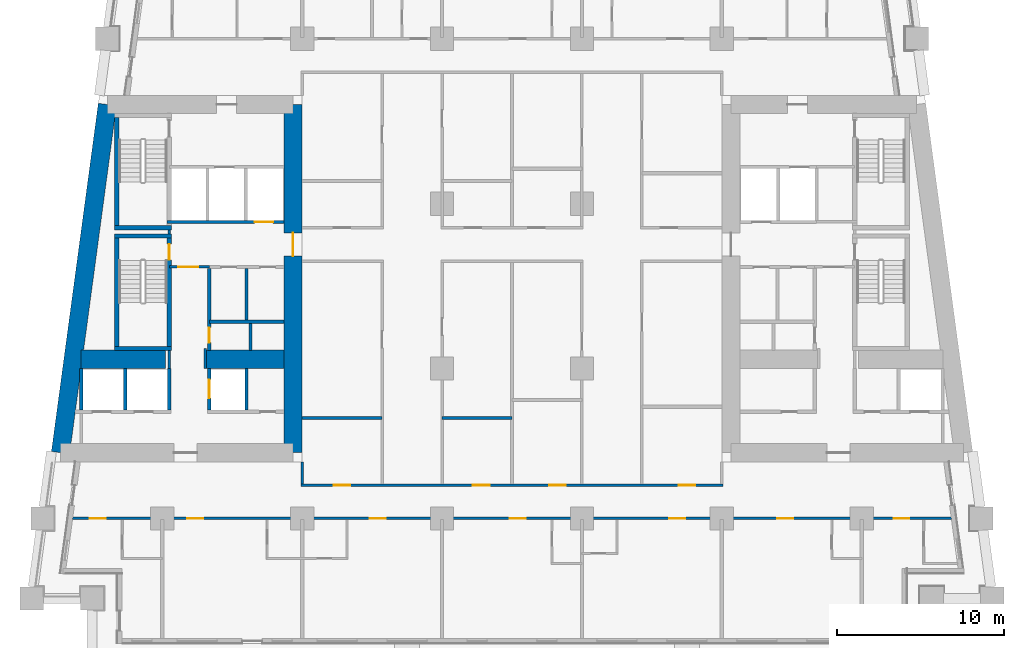
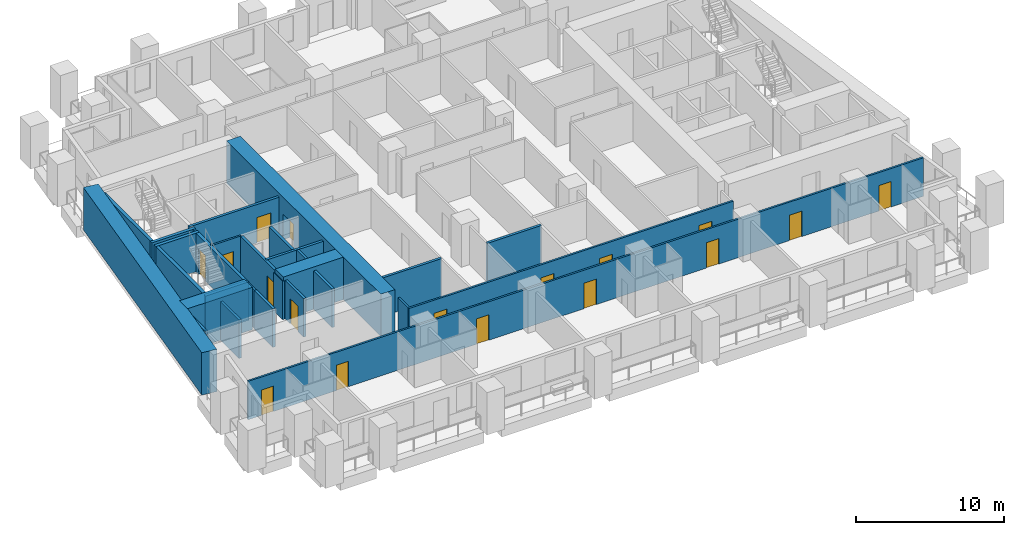
# One storey, part 3 of 13: 29 walls, 17 doors, 17 openings.
"""IFC4 building model written with IfcOpenShell, lengths in metres."""

from ifc_helpers import new_model, si_unit, direction, frame, frame_2d, origin, place, context, subcontext, project, spatial, rectangle, extrude, material, layer, layer_set, type_object, element, fill, save


model = new_model("IFC4")

# Units and contexts
model_context = context("Model", 3, precision=1e-05, world=origin(), true_north=direction((0.0, 1.0)))
body_context = subcontext(model_context, "Body", "Model", "MODEL_VIEW")
ifc_project = project(units=[si_unit("LENGTHUNIT", "METRE"), si_unit("AREAUNIT", "SQUARE_METRE"), si_unit("VOLUMEUNIT", "CUBIC_METRE"), si_unit("PLANEANGLEUNIT", "RADIAN"), si_unit("MASSUNIT", "GRAM", prefix="KILO")], contexts=[model_context])

# Site, building, storey
site_placement = place(None, origin())
site = spatial("IfcSite", under=ifc_project, at=site_placement, CompositionType="ELEMENT")
building_placement = place(site_placement, origin())
building = spatial("IfcBuilding", under=site, at=building_placement, Name="Candeia Pilgrim Tower and Theatre", CompositionType="ELEMENT")
storey_placement = place(building_placement, frame((0.0, 0.0, 56.5)))
storey = spatial("IfcBuildingStorey", under=building, at=storey_placement, Name="L11", CompositionType="ELEMENT", Elevation=56.5)

# Wall, opening, door
ifc_material_1 = material(Name="Concrete C80/95", Category="concrete")
ifc_layer_1 = layer(ifc_material_1, 1.10009765625)
ifc_layer_set_1 = layer_set([ifc_layer_1], Name="Core wall 1100 C80/95")
wall_type_1 = type_object("IfcWallType", Name="Core wall 1100 C80/95", PredefinedType="SHEAR", material=ifc_layer_set_1)
wall_1_placement = place(storey_placement, frame((100.25, 131.85009765625, 0.0), z_axis=(0.0, 0.0, 1.0), x_axis=(0.0, -1.0, 0.0)))
wall_1 = element("IfcWall", 1, at=wall_1_placement, inside=storey, type_object=wall_type_1, Name="Core wall W2", PredefinedType="SHEAR", context=body_context, shape_type="SweptSolid", body=[
    extrude(rectangle(XDim=20.900146484375, YDim=1.10009765625, at=frame_2d((10.4501953125, 0.0))), origin(), (0.0, 0.0, 1.0), 3.5),
])
opening_1_placement = place(wall_1_placement, frame((7.699951171875, 0.0, 0.0)))
opening_1 = element("IfcOpeningElement", 2, at=opening_1_placement, cuts=wall_1, Name="Opening L11-D061", PredefinedType="OPENING", context=body_context, shape_type="SweptSolid", body=[
    extrude(rectangle(XDim=1.39990234375, YDim=2.10009765625, at=frame_2d((0.699951171875, 1.050048828125))), frame((0.0, 0.56005859375, 0.0), z_axis=(0.0, -1.0, 0.0), x_axis=(1.0, 0.0, 0.0)), (0.0, 0.0, 1.0), 1.1201171875),
])
ifc_material_2 = material(Name="Steel fire door set", Category="steel")
door_type_1 = type_object("IfcDoorType", Name="D-1400-FD60", OperationType="NOTDEFINED", PredefinedType="DOOR", material=ifc_material_2)
door_1_placement = place(opening_1_placement, origin())
door_1 = element("IfcDoor", 3, at=door_1_placement, inside=storey, type_object=door_type_1, Name="Door L11-D061", OperationType="SINGLE_SWING_RIGHT", OverallHeight=2.10009765625, OverallWidth=1.39990234375, PredefinedType="DOOR", context=body_context, shape_type="SweptSolid", body=[
    extrude(rectangle(XDim=1.39990234375, YDim=2.10009765625, at=frame_2d((0.699951171875, 1.050048828125))), frame((0.0, 0.02490234375, 0.0), z_axis=(0.0, -1.0, 0.0), x_axis=(1.0, 0.0, 0.0)), (0.0, 0.0, 1.0), 0.050048828125),
])
fill(opening_1, door_1)

# Walls
wall_2_placement = place(storey_placement, frame((86.29833984375, 110.949951171875, 0.0), z_axis=(0.0, 0.0, 1.0), x_axis=(0.133400422634, 0.99106222168, 0.0)))
element("IfcWall", 4, at=wall_2_placement, inside=storey, type_object=wall_type_1, Name="Core wall W4", PredefinedType="SHEAR", context=body_context, shape_type="SweptSolid", body=[
    extrude(rectangle(XDim=21.088623046875, YDim=1.10009765625, at=frame_2d((10.54443359375, 0.0))), origin(), (0.0, 0.0, 1.0), 3.5),
])
wall_3_placement = place(storey_placement, frame((87.523193359375, 116.550048828125, 0.0), z_axis=(0.0, 0.0, 1.0), x_axis=(1.0, 0.0, 0.0)))
element("IfcWall", 5, at=wall_3_placement, inside=storey, type_object=wall_type_1, Name="Core wall W5", PredefinedType="SHEAR", context=body_context, shape_type="SweptSolid", body=[
    extrude(rectangle(XDim=5.076904296875, YDim=1.10009765625, at=frame_2d((2.53857421875, 0.0))), origin(), (0.0, 0.0, 1.0), 3.5),
])
wall_4_placement = place(storey_placement, frame((95.0, 116.550048828125, 0.0), z_axis=(0.0, 0.0, 1.0), x_axis=(1.0, 0.0, 0.0)))
element("IfcWall", 6, at=wall_4_placement, inside=storey, type_object=wall_type_1, Name="Core wall W6", PredefinedType="SHEAR", context=body_context, shape_type="SweptSolid", body=[
    extrude(rectangle(XDim=4.699951171875, YDim=1.10009765625, at=frame_2d((2.35009765625, 0.0))), origin(), (0.0, 0.0, 1.0), 3.5),
])

# Wall, opening, door
ifc_material_3 = material(Name="Gypsum board partition on steel studs", Category="steel")
ifc_layer_2 = layer(ifc_material_3, 0.14990234375)
ifc_layer_set_2 = layer_set([ifc_layer_2], Name="PW-150 lobby wall")
wall_type_2 = type_object("IfcWallType", Name="PW-150 lobby wall", PredefinedType="PARTITIONING", material=ifc_layer_set_2)
wall_5_placement = place(storey_placement, frame((92.826904296875, 122.10009765625, 0.0), z_axis=(0.0, 0.0, 1.0), x_axis=(1.0, 0.0, 0.0)))
wall_5 = element("IfcWall", 7, at=wall_5_placement, inside=storey, type_object=wall_type_2, Name="Lobby wall L11-023", PredefinedType="PARTITIONING", context=body_context, shape_type="SweptSolid", body=[
    extrude(rectangle(XDim=2.400146484375, YDim=0.14990234375, at=frame_2d((1.2001953125, 0.0))), origin(), (0.0, 0.0, 1.0), 3.179931640625),
])
opening_2_placement = place(wall_5_placement, frame((0.550048828125, 0.0, 0.0)))
opening_2 = element("IfcOpeningElement", 8, at=opening_2_placement, cuts=wall_5, Name="Opening L11-D001", PredefinedType="OPENING", context=body_context, shape_type="SweptSolid", body=[
    extrude(rectangle(XDim=1.199951171875, YDim=2.10009765625, at=frame_2d((0.60009765625, 1.050048828125))), frame((0.0, 0.0849609375, 0.0), z_axis=(0.0, -1.0, 0.0), x_axis=(1.0, 0.0, 0.0)), (0.0, 0.0, 1.0), 0.169921875),
])
door_type_2 = type_object("IfcDoorType", Name="D-1200-FD60", OperationType="NOTDEFINED", PredefinedType="DOOR", material=ifc_material_2)
door_2_placement = place(opening_2_placement, origin())
door_2 = element("IfcDoor", 9, at=door_2_placement, inside=storey, type_object=door_type_2, Name="Door L11-D001", OperationType="SINGLE_SWING_RIGHT", OverallHeight=2.10009765625, OverallWidth=1.199951171875, PredefinedType="DOOR", context=body_context, shape_type="SweptSolid", body=[
    extrude(rectangle(XDim=1.199951171875, YDim=2.10009765625, at=frame_2d((0.60009765625, 1.050048828125))), frame((0.0, 0.02490234375, 0.0), z_axis=(0.0, -1.0, 0.0), x_axis=(1.0, 0.0, 0.0)), (0.0, 0.0, 1.0), 0.050048828125),
])
fill(opening_2, door_2)

# Walls
wall_6_placement = place(storey_placement, frame((92.826904296875, 116.0, 0.0), z_axis=(0.0, 0.0, 1.0), x_axis=(0.0, 1.0, 0.0)))
element("IfcWall", 10, at=wall_6_placement, inside=storey, type_object=wall_type_2, Name="Lobby wall L11-062", PredefinedType="PARTITIONING", context=body_context, shape_type="SweptSolid", body=[
    extrude(rectangle(XDim=1.070068359375, YDim=0.14990234375, at=frame_2d((0.53515625, 0.0))), origin(), (0.0, 0.0, 1.0), 3.179931640625),
])
wall_7_placement = place(storey_placement, frame((92.826904296875, 124.074951171875, 0.0), z_axis=(0.0, 0.0, 1.0), x_axis=(0.0, 1.0, 0.0)))
element("IfcWall", 11, at=wall_7_placement, inside=storey, type_object=wall_type_2, Name="Lobby wall L11-063", PredefinedType="PARTITIONING", context=body_context, shape_type="SweptSolid", body=[
    extrude(rectangle(XDim=0.25, YDim=0.14990234375, at=frame_2d((0.125, 0.0))), origin(), (0.0, 0.0, 1.0), 3.179931640625),
])
wall_8_placement = place(storey_placement, frame((95.0, 116.0, 0.0), z_axis=(0.0, 0.0, 1.0), x_axis=(0.0, 1.0, 0.0)))
element("IfcWall", 12, at=wall_8_placement, inside=storey, type_object=wall_type_2, Name="Lobby wall L11-067", PredefinedType="PARTITIONING", context=body_context, shape_type="SweptSolid", body=[
    extrude(rectangle(XDim=1.199951171875, YDim=0.14990234375, at=frame_2d((0.60009765625, 0.0))), origin(), (0.0, 0.0, 1.0), 3.179931640625),
])

# Wall, openings, doors
ifc_layer_3 = layer(ifc_material_3, 0.14990234375)
ifc_layer_set_3 = layer_set([ifc_layer_3], Name="PW-150 unit wall")
wall_type_3 = type_object("IfcWallType", Name="PW-150 unit wall", PredefinedType="PARTITIONING", material=ifc_layer_set_3)
wall_9_placement = place(storey_placement, frame((87.017578125, 107.0, 0.0), z_axis=(0.0, 0.0, 1.0), x_axis=(1.0, 0.0, 0.0)))
wall_9 = element("IfcWall", 13, at=wall_9_placement, inside=storey, type_object=wall_type_3, Name="Unit wall L11-007", PredefinedType="PARTITIONING", context=body_context, shape_type="SweptSolid", body=[
    extrude(rectangle(XDim=52.7646484375, YDim=0.14990234375, at=frame_2d((26.38232421875, 0.0))), origin(), (0.0, 0.0, 1.0), 3.179931640625),
])
opening_3_placement = place(wall_9_placement, frame((1.0322265625, 0.0, 0.0)))
opening_3 = element("IfcOpeningElement", 14, at=opening_3_placement, cuts=wall_9, Name="Opening L11-D016", PredefinedType="OPENING", context=body_context, shape_type="SweptSolid", body=[
    extrude(rectangle(XDim=0.949951171875, YDim=2.10009765625, at=frame_2d((0.47509765625, 1.050048828125))), frame((0.0, 0.0849609375, 0.0), z_axis=(0.0, -1.0, 0.0), x_axis=(1.0, 0.0, 0.0)), (0.0, 0.0, 1.0), 0.169921875),
])
opening_4_placement = place(wall_9_placement, frame((6.894287109375, 0.0, 0.0)))
opening_4 = element("IfcOpeningElement", 15, at=opening_4_placement, cuts=wall_9, Name="Opening L11-D018", PredefinedType="OPENING", context=body_context, shape_type="SweptSolid", body=[
    extrude(rectangle(XDim=0.949951171875, YDim=2.10009765625, at=frame_2d((0.47509765625, 1.050048828125))), frame((0.0, 0.0849609375, 0.0), z_axis=(0.0, -1.0, 0.0), x_axis=(1.0, 0.0, 0.0)), (0.0, 0.0, 1.0), 0.169921875),
])
opening_5_placement = place(wall_9_placement, frame((17.84423828125, 0.0, 0.0)))
opening_5 = element("IfcOpeningElement", 16, at=opening_5_placement, cuts=wall_9, Name="Opening L11-D020", PredefinedType="OPENING", context=body_context, shape_type="SweptSolid", body=[
    extrude(rectangle(XDim=0.949951171875, YDim=2.10009765625, at=frame_2d((0.47509765625, 1.050048828125))), frame((0.0, 0.0849609375, 0.0), z_axis=(0.0, -1.0, 0.0), x_axis=(1.0, 0.0, 0.0)), (0.0, 0.0, 1.0), 0.169921875),
])
opening_6_placement = place(wall_9_placement, frame((26.245361328125, 0.0, 0.0)))
opening_6 = element("IfcOpeningElement", 17, at=opening_6_placement, cuts=wall_9, Name="Opening L11-D022", PredefinedType="OPENING", context=body_context, shape_type="SweptSolid", body=[
    extrude(rectangle(XDim=0.949951171875, YDim=2.10009765625, at=frame_2d((0.47509765625, 1.050048828125))), frame((0.0, 0.0849609375, 0.0), z_axis=(0.0, -1.0, 0.0), x_axis=(1.0, 0.0, 0.0)), (0.0, 0.0, 1.0), 0.169921875),
])
opening_7_placement = place(wall_9_placement, frame((35.822265625, 0.0, 0.0)))
opening_7 = element("IfcOpeningElement", 18, at=opening_7_placement, cuts=wall_9, Name="Opening L11-D024", PredefinedType="OPENING", context=body_context, shape_type="SweptSolid", body=[
    extrude(rectangle(XDim=0.949951171875, YDim=2.10009765625, at=frame_2d((0.47509765625, 1.050048828125))), frame((0.0, 0.0849609375, 0.0), z_axis=(0.0, -1.0, 0.0), x_axis=(1.0, 0.0, 0.0)), (0.0, 0.0, 1.0), 0.169921875),
])
opening_8_placement = place(wall_9_placement, frame((42.30224609375, 0.0, 0.0)))
opening_8 = element("IfcOpeningElement", 19, at=opening_8_placement, cuts=wall_9, Name="Opening L11-D026", PredefinedType="OPENING", context=body_context, shape_type="SweptSolid", body=[
    extrude(rectangle(XDim=0.949951171875, YDim=2.10009765625, at=frame_2d((0.47509765625, 1.050048828125))), frame((0.0, 0.0849609375, 0.0), z_axis=(0.0, -1.0, 0.0), x_axis=(1.0, 0.0, 0.0)), (0.0, 0.0, 1.0), 0.169921875),
])
opening_9_placement = place(wall_9_placement, frame((49.285400390625, 0.0, 0.0)))
opening_9 = element("IfcOpeningElement", 20, at=opening_9_placement, cuts=wall_9, Name="Opening L11-D028", PredefinedType="OPENING", context=body_context, shape_type="SweptSolid", body=[
    extrude(rectangle(XDim=0.949951171875, YDim=2.10009765625, at=frame_2d((0.47509765625, 1.050048828125))), frame((0.0, 0.0849609375, 0.0), z_axis=(0.0, -1.0, 0.0), x_axis=(1.0, 0.0, 0.0)), (0.0, 0.0, 1.0), 0.169921875),
])
door_type_3 = type_object("IfcDoorType", Name="D-950-FD30S", OperationType="NOTDEFINED", PredefinedType="DOOR", material=ifc_material_2)
door_3_placement = place(opening_3_placement, origin())
door_3 = element("IfcDoor", 21, at=door_3_placement, inside=storey, type_object=door_type_3, Name="Door L11-D016", OperationType="SINGLE_SWING_LEFT", OverallHeight=2.10009765625, OverallWidth=0.949951171875, PredefinedType="DOOR", context=body_context, shape_type="SweptSolid", body=[
    extrude(rectangle(XDim=0.949951171875, YDim=2.10009765625, at=frame_2d((0.47509765625, 1.050048828125))), frame((0.0, 0.02490234375, 0.0), z_axis=(0.0, -1.0, 0.0), x_axis=(1.0, 0.0, 0.0)), (0.0, 0.0, 1.0), 0.050048828125),
])
fill(opening_3, door_3)
door_4_placement = place(opening_4_placement, origin())
door_4 = element("IfcDoor", 22, at=door_4_placement, inside=storey, type_object=door_type_3, Name="Door L11-D018", OperationType="SINGLE_SWING_LEFT", OverallHeight=2.10009765625, OverallWidth=0.949951171875, PredefinedType="DOOR", context=body_context, shape_type="SweptSolid", body=[
    extrude(rectangle(XDim=0.949951171875, YDim=2.10009765625, at=frame_2d((0.47509765625, 1.050048828125))), frame((0.0, 0.02490234375, 0.0), z_axis=(0.0, -1.0, 0.0), x_axis=(1.0, 0.0, 0.0)), (0.0, 0.0, 1.0), 0.050048828125),
])
fill(opening_4, door_4)
door_5_placement = place(opening_5_placement, origin())
door_5 = element("IfcDoor", 23, at=door_5_placement, inside=storey, type_object=door_type_3, Name="Door L11-D020", OperationType="SINGLE_SWING_LEFT", OverallHeight=2.10009765625, OverallWidth=0.949951171875, PredefinedType="DOOR", context=body_context, shape_type="SweptSolid", body=[
    extrude(rectangle(XDim=0.949951171875, YDim=2.10009765625, at=frame_2d((0.47509765625, 1.050048828125))), frame((0.0, 0.02490234375, 0.0), z_axis=(0.0, -1.0, 0.0), x_axis=(1.0, 0.0, 0.0)), (0.0, 0.0, 1.0), 0.050048828125),
])
fill(opening_5, door_5)
door_6_placement = place(opening_6_placement, origin())
door_6 = element("IfcDoor", 24, at=door_6_placement, inside=storey, type_object=door_type_3, Name="Door L11-D022", OperationType="SINGLE_SWING_LEFT", OverallHeight=2.10009765625, OverallWidth=0.949951171875, PredefinedType="DOOR", context=body_context, shape_type="SweptSolid", body=[
    extrude(rectangle(XDim=0.949951171875, YDim=2.10009765625, at=frame_2d((0.47509765625, 1.050048828125))), frame((0.0, 0.02490234375, 0.0), z_axis=(0.0, -1.0, 0.0), x_axis=(1.0, 0.0, 0.0)), (0.0, 0.0, 1.0), 0.050048828125),
])
fill(opening_6, door_6)
door_7_placement = place(opening_7_placement, origin())
door_7 = element("IfcDoor", 25, at=door_7_placement, inside=storey, type_object=door_type_3, Name="Door L11-D024", OperationType="SINGLE_SWING_LEFT", OverallHeight=2.10009765625, OverallWidth=0.949951171875, PredefinedType="DOOR", context=body_context, shape_type="SweptSolid", body=[
    extrude(rectangle(XDim=0.949951171875, YDim=2.10009765625, at=frame_2d((0.47509765625, 1.050048828125))), frame((0.0, 0.02490234375, 0.0), z_axis=(0.0, -1.0, 0.0), x_axis=(1.0, 0.0, 0.0)), (0.0, 0.0, 1.0), 0.050048828125),
])
fill(opening_7, door_7)
door_8_placement = place(opening_8_placement, origin())
door_8 = element("IfcDoor", 26, at=door_8_placement, inside=storey, type_object=door_type_3, Name="Door L11-D026", OperationType="SINGLE_SWING_LEFT", OverallHeight=2.10009765625, OverallWidth=0.949951171875, PredefinedType="DOOR", context=body_context, shape_type="SweptSolid", body=[
    extrude(rectangle(XDim=0.949951171875, YDim=2.10009765625, at=frame_2d((0.47509765625, 1.050048828125))), frame((0.0, 0.02490234375, 0.0), z_axis=(0.0, -1.0, 0.0), x_axis=(1.0, 0.0, 0.0)), (0.0, 0.0, 1.0), 0.050048828125),
])
fill(opening_8, door_8)
door_9_placement = place(opening_9_placement, origin())
door_9 = element("IfcDoor", 27, at=door_9_placement, inside=storey, type_object=door_type_3, Name="Door L11-D028", OperationType="SINGLE_SWING_LEFT", OverallHeight=2.10009765625, OverallWidth=0.949951171875, PredefinedType="DOOR", context=body_context, shape_type="SweptSolid", body=[
    extrude(rectangle(XDim=0.949951171875, YDim=2.10009765625, at=frame_2d((0.47509765625, 1.050048828125))), frame((0.0, 0.02490234375, 0.0), z_axis=(0.0, -1.0, 0.0), x_axis=(1.0, 0.0, 0.0)), (0.0, 0.0, 1.0), 0.050048828125),
])
fill(opening_9, door_9)

wall_10_placement = place(storey_placement, frame((100.72509765625, 109.0, 0.0), z_axis=(0.0, 0.0, 1.0), x_axis=(1.0, 0.0, 0.0)))
wall_10 = element("IfcWall", 28, at=wall_10_placement, inside=storey, type_object=wall_type_3, Name="Unit wall L11-008", PredefinedType="PARTITIONING", context=body_context, shape_type="SweptSolid", body=[
    extrude(rectangle(XDim=25.349853515625, YDim=0.14990234375, at=frame_2d((12.6748046875, 0.0))), origin(), (0.0, 0.0, 1.0), 3.179931640625),
])
opening_10_placement = place(wall_10_placement, frame((1.97509765625, 0.0, 0.0)))
opening_10 = element("IfcOpeningElement", 29, at=opening_10_placement, cuts=wall_10, Name="Opening L11-D043", PredefinedType="OPENING", context=body_context, shape_type="SweptSolid", body=[
    extrude(rectangle(XDim=1.0, YDim=2.10009765625, at=frame_2d((0.5, 1.050048828125))), frame((0.0, 0.0849609375, 0.0), z_axis=(0.0, -1.0, 0.0), x_axis=(1.0, 0.0, 0.0)), (0.0, 0.0, 1.0), 0.169921875),
])
opening_11_placement = place(wall_10_placement, frame((10.324951171875, 0.0, 0.0)))
opening_11 = element("IfcOpeningElement", 30, at=opening_11_placement, cuts=wall_10, Name="Opening L11-D047", PredefinedType="OPENING", context=body_context, shape_type="SweptSolid", body=[
    extrude(rectangle(XDim=1.0, YDim=2.10009765625, at=frame_2d((0.5, 1.050048828125))), frame((0.0, 0.0849609375, 0.0), z_axis=(0.0, -1.0, 0.0), x_axis=(1.0, 0.0, 0.0)), (0.0, 0.0, 1.0), 0.169921875),
])
opening_12_placement = place(wall_10_placement, frame((14.89990234375, 0.0, 0.0)))
opening_12 = element("IfcOpeningElement", 31, at=opening_12_placement, cuts=wall_10, Name="Opening L11-D051", PredefinedType="OPENING", context=body_context, shape_type="SweptSolid", body=[
    extrude(rectangle(XDim=1.0, YDim=2.10009765625, at=frame_2d((0.5, 1.050048828125))), frame((0.0, 0.0849609375, 0.0), z_axis=(0.0, -1.0, 0.0), x_axis=(1.0, 0.0, 0.0)), (0.0, 0.0, 1.0), 0.169921875),
])
opening_13_placement = place(wall_10_placement, frame((22.68505859375, 0.0, 0.0)))
opening_13 = element("IfcOpeningElement", 32, at=opening_13_placement, cuts=wall_10, Name="Opening L11-D055", PredefinedType="OPENING", context=body_context, shape_type="SweptSolid", body=[
    extrude(rectangle(XDim=1.0, YDim=2.10009765625, at=frame_2d((0.5, 1.050048828125))), frame((0.0, 0.0849609375, 0.0), z_axis=(0.0, -1.0, 0.0), x_axis=(1.0, 0.0, 0.0)), (0.0, 0.0, 1.0), 0.169921875),
])
door_type_4 = type_object("IfcDoorType", Name="D-1000-FD30S", OperationType="NOTDEFINED", PredefinedType="DOOR", material=ifc_material_2)
door_10_placement = place(opening_10_placement, origin())
door_10 = element("IfcDoor", 33, at=door_10_placement, inside=storey, type_object=door_type_4, Name="Door L11-D043", OperationType="SINGLE_SWING_RIGHT", OverallHeight=2.10009765625, OverallWidth=1.0, PredefinedType="DOOR", context=body_context, shape_type="SweptSolid", body=[
    extrude(rectangle(XDim=1.0, YDim=2.10009765625, at=frame_2d((0.5, 1.050048828125))), frame((0.0, 0.02490234375, 0.0), z_axis=(0.0, -1.0, 0.0), x_axis=(1.0, 0.0, 0.0)), (0.0, 0.0, 1.0), 0.050048828125),
])
fill(opening_10, door_10)
door_11_placement = place(opening_11_placement, origin())
door_11 = element("IfcDoor", 34, at=door_11_placement, inside=storey, type_object=door_type_4, Name="Door L11-D047", OperationType="SINGLE_SWING_RIGHT", OverallHeight=2.10009765625, OverallWidth=1.0, PredefinedType="DOOR", context=body_context, shape_type="SweptSolid", body=[
    extrude(rectangle(XDim=1.0, YDim=2.10009765625, at=frame_2d((0.5, 1.050048828125))), frame((0.0, 0.02490234375, 0.0), z_axis=(0.0, -1.0, 0.0), x_axis=(1.0, 0.0, 0.0)), (0.0, 0.0, 1.0), 0.050048828125),
])
fill(opening_11, door_11)
door_12_placement = place(opening_12_placement, origin())
door_12 = element("IfcDoor", 35, at=door_12_placement, inside=storey, type_object=door_type_4, Name="Door L11-D051", OperationType="SINGLE_SWING_RIGHT", OverallHeight=2.10009765625, OverallWidth=1.0, PredefinedType="DOOR", context=body_context, shape_type="SweptSolid", body=[
    extrude(rectangle(XDim=1.0, YDim=2.10009765625, at=frame_2d((0.5, 1.050048828125))), frame((0.0, 0.02490234375, 0.0), z_axis=(0.0, -1.0, 0.0), x_axis=(1.0, 0.0, 0.0)), (0.0, 0.0, 1.0), 0.050048828125),
])
fill(opening_12, door_12)
door_13_placement = place(opening_13_placement, origin())
door_13 = element("IfcDoor", 36, at=door_13_placement, inside=storey, type_object=door_type_4, Name="Door L11-D055", OperationType="SINGLE_SWING_RIGHT", OverallHeight=2.10009765625, OverallWidth=1.0, PredefinedType="DOOR", context=body_context, shape_type="SweptSolid", body=[
    extrude(rectangle(XDim=1.0, YDim=2.10009765625, at=frame_2d((0.5, 1.050048828125))), frame((0.0, 0.02490234375, 0.0), z_axis=(0.0, -1.0, 0.0), x_axis=(1.0, 0.0, 0.0)), (0.0, 0.0, 1.0), 0.050048828125),
])
fill(opening_13, door_13)

# Walls
wall_11_placement = place(storey_placement, frame((100.800048828125, 109.074951171875, 0.0), z_axis=(0.0, 0.0, 1.0), x_axis=(0.0, 1.0, 0.0)))
element("IfcWall", 37, at=wall_11_placement, inside=storey, type_object=wall_type_3, Name="Unit wall L11-079", PredefinedType="PARTITIONING", context=body_context, shape_type="SweptSolid", body=[
    extrude(rectangle(XDim=1.324951171875, YDim=0.14990234375, at=frame_2d((0.66259765625, 0.0))), origin(), (0.0, 0.0, 1.0), 3.179931640625),
])
ifc_layer_4 = layer(ifc_material_3, 0.199951171875)
ifc_layer_set_4 = layer_set([ifc_layer_4], Name="PW-200 party wall")
wall_type_4 = type_object("IfcWallType", Name="PW-200 party wall", PredefinedType="PARTITIONING", material=ifc_layer_set_4)
wall_12_placement = place(storey_placement, frame((100.800048828125, 113.034912109375, 0.0), z_axis=(0.0, 0.0, 1.0), x_axis=(1.0, 0.0, 0.0)))
element("IfcWall", 38, at=wall_12_placement, inside=storey, type_object=wall_type_4, Name="Party wall L11-009", PredefinedType="PARTITIONING", context=body_context, shape_type="SweptSolid", body=[
    extrude(rectangle(XDim=4.800048828125, YDim=0.199951171875, at=frame_2d((2.39990234375, 0.0))), origin(), (0.0, 0.0, 1.0), 3.179931640625),
])
wall_13_placement = place(storey_placement, frame((109.199951171875, 113.034912109375, 0.0), z_axis=(0.0, 0.0, 1.0), x_axis=(1.0, 0.0, 0.0)))
element("IfcWall", 39, at=wall_13_placement, inside=storey, type_object=wall_type_4, Name="Party wall L11-010", PredefinedType="PARTITIONING", context=body_context, shape_type="SweptSolid", body=[
    extrude(rectangle(XDim=4.199951171875, YDim=0.199951171875, at=frame_2d((2.10009765625, 0.0))), origin(), (0.0, 0.0, 1.0), 3.179931640625),
])
ifc_material_4 = material(Name="Concrete C40/50", Category="concrete")
ifc_layer_5 = layer(ifc_material_4, 0.199951171875)
ifc_layer_set_5 = layer_set([ifc_layer_5], Name="SW-200 shaft wall")
wall_type_5 = type_object("IfcWallType", Name="SW-200 shaft wall", PredefinedType="PARTITIONING", material=ifc_layer_set_5)
wall_14_placement = place(storey_placement, frame((95.22705078125, 118.800048828125, 0.0), z_axis=(0.0, 0.0, 1.0), x_axis=(1.0, 0.0, 0.0)))
element("IfcWall", 40, at=wall_14_placement, inside=storey, type_object=wall_type_5, Name="Shaft wall L11-019", PredefinedType="PARTITIONING", context=body_context, shape_type="SweptSolid", body=[
    extrude(rectangle(XDim=4.472900390625, YDim=0.199951171875, at=frame_2d((2.236328125, 0.0))), origin(), (0.0, 0.0, 1.0), 3.179931640625),
])

# Wall, opening, door
wall_15_placement = place(storey_placement, frame((92.701904296875, 124.800048828125, 0.0), z_axis=(0.0, 0.0, 1.0), x_axis=(1.0, 0.0, 0.0)))
wall_15 = element("IfcWall", 41, at=wall_15_placement, inside=storey, type_object=wall_type_5, Name="Shaft wall L11-035", PredefinedType="PARTITIONING", context=body_context, shape_type="SweptSolid", body=[
    extrude(rectangle(XDim=6.998046875, YDim=0.199951171875, at=frame_2d((3.4990234375, 0.0))), origin(), (0.0, 0.0, 1.0), 3.179931640625),
])
opening_14_placement = place(wall_15_placement, frame((5.2529296875, 0.0, 0.0)))
opening_14 = element("IfcOpeningElement", 42, at=opening_14_placement, cuts=wall_15, Name="Opening L11-LD02", PredefinedType="OPENING", context=body_context, shape_type="SweptSolid", body=[
    extrude(rectangle(XDim=1.10009765625, YDim=2.10009765625, at=frame_2d((0.550048828125, 1.050048828125))), frame((0.0, 0.10986328125, 0.0), z_axis=(0.0, -1.0, 0.0), x_axis=(1.0, 0.0, 0.0)), (0.0, 0.0, 1.0), 0.219970703125),
])
ifc_material_5 = material(Name="Glazed aluminium landing door", Category="aluminium")
door_type_5 = type_object("IfcDoorType", Name="LD-1100-EI120", OperationType="SLIDING_TO_LEFT", PredefinedType="DOOR", material=ifc_material_5)
door_14_placement = place(opening_14_placement, origin())
door_14 = element("IfcDoor", 43, at=door_14_placement, inside=storey, type_object=door_type_5, Name="Landing door 02 L11", OperationType="SLIDING_TO_LEFT", OverallHeight=2.10009765625, OverallWidth=1.10009765625, PredefinedType="DOOR", context=body_context, shape_type="SweptSolid", body=[
    extrude(rectangle(XDim=1.10009765625, YDim=2.10009765625, at=frame_2d((0.550048828125, 1.050048828125))), frame((0.0, 0.02490234375, 0.0), z_axis=(0.0, -1.0, 0.0), x_axis=(1.0, 0.0, 0.0)), (0.0, 0.0, 1.0), 0.050048828125),
])
fill(opening_14, door_14)

# Walls
for number, where, z_axis, x_axis, name in (
    (44, (87.552001953125, 113.5, 0.0), (0.0, 0.0, 1.0), (0.0, 1.0, 0.0), "Shaft wall L11-054"),
    (45, (90.178466796875, 113.5, 0.0), (0.0, 0.0, 1.0), (0.0, 1.0, 0.0), "Shaft wall L11-059"),
    (46, (92.826904296875, 113.5, 0.0), (0.0, 0.0, 1.0), (0.0, 1.0, 0.0), "Shaft wall L11-061"),
):
    element("IfcWall", number, at=place(storey_placement, frame(where, z_axis=z_axis, x_axis=x_axis)), inside=storey, type_object=wall_type_5, Name=name, PredefinedType="PARTITIONING", context=body_context, shape_type="SweptSolid", body=[
        extrude(rectangle(XDim=2.5, YDim=0.199951171875, at=frame_2d((1.25, 0.0))), origin(), (0.0, 0.0, 1.0), 3.179931640625),
    ])

# Wall, opening, door
wall_16_placement = place(storey_placement, frame((95.22705078125, 113.5, 0.0), z_axis=(0.0, 0.0, 1.0), x_axis=(0.0, 1.0, 0.0)))
wall_16 = element("IfcWall", 47, at=wall_16_placement, inside=storey, type_object=wall_type_5, Name="Shaft wall L11-069", PredefinedType="PARTITIONING", context=body_context, shape_type="SweptSolid", body=[
    extrude(rectangle(XDim=2.5, YDim=0.199951171875, at=frame_2d((1.25, 0.0))), origin(), (0.0, 0.0, 1.0), 3.179931640625),
])
opening_15_placement = place(wall_16_placement, frame((0.72998046875, 0.0, 0.0)))
opening_15 = element("IfcOpeningElement", 48, at=opening_15_placement, cuts=wall_16, Name="Opening L11-LD05", PredefinedType="OPENING", context=body_context, shape_type="SweptSolid", body=[
    extrude(rectangle(XDim=1.10009765625, YDim=2.10009765625, at=frame_2d((0.550048828125, 1.050048828125))), frame((0.0, 0.10986328125, 0.0), z_axis=(0.0, -1.0, 0.0), x_axis=(1.0, 0.0, 0.0)), (0.0, 0.0, 1.0), 0.219970703125),
])
door_15_placement = place(opening_15_placement, origin())
door_15 = element("IfcDoor", 49, at=door_15_placement, inside=storey, type_object=door_type_5, Name="Landing door 05 L11", OperationType="SLIDING_TO_LEFT", OverallHeight=2.10009765625, OverallWidth=1.10009765625, PredefinedType="DOOR", context=body_context, shape_type="SweptSolid", body=[
    extrude(rectangle(XDim=1.10009765625, YDim=2.10009765625, at=frame_2d((0.550048828125, 1.050048828125))), frame((0.0, 0.02490234375, 0.0), z_axis=(0.0, -1.0, 0.0), x_axis=(1.0, 0.0, 0.0)), (0.0, 0.0, 1.0), 0.050048828125),
])
fill(opening_15, door_15)

wall_17_placement = place(storey_placement, frame((95.22705078125, 117.070068359375, 0.0), z_axis=(0.0, 0.0, 1.0), x_axis=(0.0, 1.0, 0.0)))
wall_17 = element("IfcWall", 50, at=wall_17_placement, inside=storey, type_object=wall_type_5, Name="Shaft wall L11-070", PredefinedType="PARTITIONING", context=body_context, shape_type="SweptSolid", body=[
    extrude(rectangle(XDim=4.929931640625, YDim=0.199951171875, at=frame_2d((2.46484375, 0.0))), origin(), (0.0, 0.0, 1.0), 3.179931640625),
])
opening_16_placement = place(wall_17_placement, frame((0.47998046875, 0.0, 0.0)))
opening_16 = element("IfcOpeningElement", 51, at=opening_16_placement, cuts=wall_17, Name="Opening L11-D006", PredefinedType="OPENING", context=body_context, shape_type="SweptSolid", body=[
    extrude(rectangle(XDim=0.89990234375, YDim=2.10009765625, at=frame_2d((0.449951171875, 1.050048828125))), frame((0.0, 0.10986328125, 0.0), z_axis=(0.0, -1.0, 0.0), x_axis=(1.0, 0.0, 0.0)), (0.0, 0.0, 1.0), 0.219970703125),
])
door_type_6 = type_object("IfcDoorType", Name="D-900-FD60", OperationType="NOTDEFINED", PredefinedType="DOOR", material=ifc_material_2)
door_16_placement = place(opening_16_placement, origin())
door_16 = element("IfcDoor", 52, at=door_16_placement, inside=storey, type_object=door_type_6, Name="Door L11-D006", OperationType="SINGLE_SWING_LEFT", OverallHeight=2.10009765625, OverallWidth=0.89990234375, PredefinedType="DOOR", context=body_context, shape_type="SweptSolid", body=[
    extrude(rectangle(XDim=0.89990234375, YDim=2.10009765625, at=frame_2d((0.449951171875, 1.050048828125))), frame((0.0, 0.02490234375, 0.0), z_axis=(0.0, -1.0, 0.0), x_axis=(1.0, 0.0, 0.0)), (0.0, 0.0, 1.0), 0.050048828125),
])
fill(opening_16, door_16)

# Walls
wall_18_placement = place(storey_placement, frame((97.46337890625, 113.5, 0.0), z_axis=(0.0, 0.0, 1.0), x_axis=(0.0, 1.0, 0.0)))
element("IfcWall", 53, at=wall_18_placement, inside=storey, type_object=wall_type_5, Name="Shaft wall L11-073", PredefinedType="PARTITIONING", context=body_context, shape_type="SweptSolid", body=[
    extrude(rectangle(XDim=2.5, YDim=0.199951171875, at=frame_2d((1.25, 0.0))), origin(), (0.0, 0.0, 1.0), 3.179931640625),
])
wall_19_placement = place(storey_placement, frame((97.46337890625, 118.89990234375, 0.0), z_axis=(0.0, 0.0, 1.0), x_axis=(0.0, 1.0, 0.0)))
element("IfcWall", 54, at=wall_19_placement, inside=storey, type_object=wall_type_5, Name="Shaft wall L11-074", PredefinedType="PARTITIONING", context=body_context, shape_type="SweptSolid", body=[
    extrude(rectangle(XDim=3.10009765625, YDim=0.199951171875, at=frame_2d((1.550048828125, 0.0))), origin(), (0.0, 0.0, 1.0), 3.179931640625),
])
wall_20_placement = place(storey_placement, frame((97.699951171875, 117.070068359375, 0.0), z_axis=(0.0, 0.0, 1.0), x_axis=(0.0, 1.0, 0.0)))
element("IfcWall", 55, at=wall_20_placement, inside=storey, type_object=wall_type_5, Name="Shaft wall L11-075", PredefinedType="PARTITIONING", context=body_context, shape_type="SweptSolid", body=[
    extrude(rectangle(XDim=1.6298828125, YDim=0.199951171875, at=frame_2d((0.81494140625, 0.0))), origin(), (0.0, 0.0, 1.0), 3.179931640625),
])
ifc_layer_6 = layer(ifc_material_4, 0.25)
ifc_layer_set_6 = layer_set([ifc_layer_6], Name="SW-250 stair wall")
wall_type_6 = type_object("IfcWallType", Name="SW-250 stair wall", PredefinedType="PARTITIONING", material=ifc_layer_set_6)
for number, where, z_axis, x_axis, name in (
    (56, (89.552001953125, 117.199951171875, 0.0), (0.0, 0.0, 1.0), (1.0, 0.0, 0.0), "Stair wall L11-017"),
    (57, (89.552001953125, 123.949951171875, 0.0), (0.0, 0.0, 1.0), (1.0, 0.0, 0.0), "Stair wall L11-028"),
    (58, (89.552001953125, 124.449951171875, 0.0), (0.0, 0.0, 1.0), (1.0, 0.0, 0.0), "Stair wall L11-030"),
):
    element("IfcWall", number, at=place(storey_placement, frame(where, z_axis=z_axis, x_axis=x_axis)), inside=storey, type_object=wall_type_6, Name=name, PredefinedType="PARTITIONING", context=body_context, shape_type="SweptSolid", body=[
        extrude(rectangle(XDim=3.39990234375, YDim=0.25, at=frame_2d((1.699951171875, 0.0))), origin(), (0.0, 0.0, 1.0), 3.179931640625),
    ])
wall_21_placement = place(storey_placement, frame((89.677001953125, 117.070068359375, 0.0), z_axis=(0.0, 0.0, 1.0), x_axis=(0.0, 1.0, 0.0)))
element("IfcWall", 59, at=wall_21_placement, inside=storey, type_object=wall_type_6, Name="Stair wall L11-056", PredefinedType="PARTITIONING", context=body_context, shape_type="SweptSolid", body=[
    extrude(rectangle(XDim=6.7548828125, YDim=0.25, at=frame_2d((3.37744140625, 0.0))), origin(), (0.0, 0.0, 1.0), 3.179931640625),
])
wall_22_placement = place(storey_placement, frame((89.677001953125, 124.574951171875, 0.0), z_axis=(0.0, 0.0, 1.0), x_axis=(0.0, 1.0, 0.0)))
element("IfcWall", 60, at=wall_22_placement, inside=storey, type_object=wall_type_6, Name="Stair wall L11-057", PredefinedType="PARTITIONING", context=body_context, shape_type="SweptSolid", body=[
    extrude(rectangle(XDim=6.5, YDim=0.25, at=frame_2d((3.25, 0.0))), origin(), (0.0, 0.0, 1.0), 3.179931640625),
])

# Wall, opening, door
wall_23_placement = place(storey_placement, frame((92.826904296875, 117.070068359375, 0.0), z_axis=(0.0, 0.0, 1.0), x_axis=(0.0, 1.0, 0.0)))
wall_23 = element("IfcWall", 61, at=wall_23_placement, inside=storey, type_object=wall_type_6, Name="Stair wall L11-064", PredefinedType="PARTITIONING", context=body_context, shape_type="SweptSolid", body=[
    extrude(rectangle(XDim=6.7548828125, YDim=0.25, at=frame_2d((3.37744140625, 0.0))), origin(), (0.0, 0.0, 1.0), 3.179931640625),
])
opening_17_placement = place(wall_23_placement, frame((5.455078125, 0.0, 0.0)))
opening_17 = element("IfcOpeningElement", 62, at=opening_17_placement, cuts=wall_23, Name="Opening L11-D004", PredefinedType="OPENING", context=body_context, shape_type="SweptSolid", body=[
    extrude(rectangle(XDim=0.949951171875, YDim=2.10009765625, at=frame_2d((0.47509765625, 1.050048828125))), frame((0.0, 0.135009765625, 0.0), z_axis=(0.0, -1.0, 0.0), x_axis=(1.0, 0.0, 0.0)), (0.0, 0.0, 1.0), 0.27001953125),
])
door_type_7 = type_object("IfcDoorType", Name="D-950-FD60", OperationType="NOTDEFINED", PredefinedType="DOOR", material=ifc_material_2)
door_17_placement = place(opening_17_placement, origin())
door_17 = element("IfcDoor", 63, at=door_17_placement, inside=storey, type_object=door_type_7, Name="Door L11-D004", OperationType="SINGLE_SWING_LEFT", OverallHeight=2.10009765625, OverallWidth=0.949951171875, PredefinedType="DOOR", context=body_context, shape_type="SweptSolid", body=[
    extrude(rectangle(XDim=0.949951171875, YDim=2.10009765625, at=frame_2d((0.47509765625, 1.050048828125))), frame((0.0, 0.02490234375, 0.0), z_axis=(0.0, -1.0, 0.0), x_axis=(1.0, 0.0, 0.0)), (0.0, 0.0, 1.0), 0.050048828125),
])
fill(opening_17, door_17)

save(model, "model.ifc")
